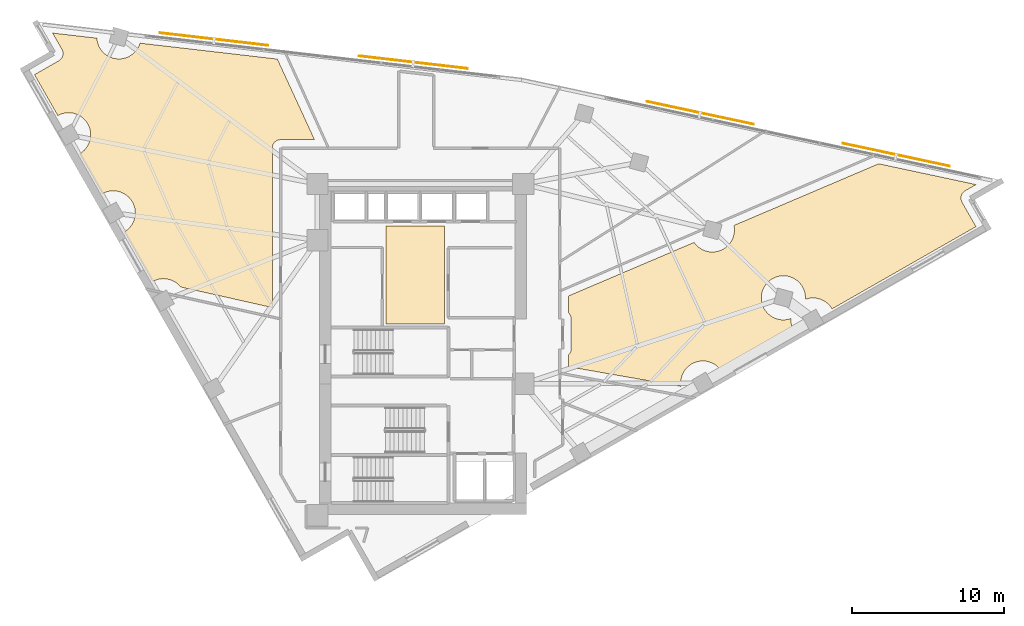
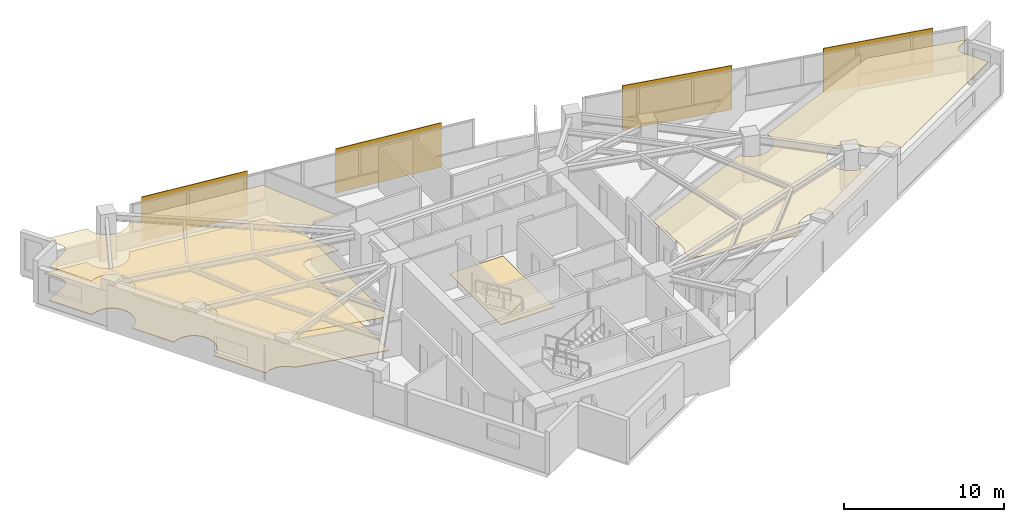
# One storey, part 13 of 13: 4 coverings, 4 shading devices.
"""IFC4 building model written with IfcOpenShell, lengths in metres."""

from ifc_helpers import new_model, si_unit, direction, frame, origin, origin_2d, place, context, subcontext, project, spatial, polyline, rectangle, outline, extrude, material, layer, layer_set, type_object, element, save


model = new_model("IFC4")

# Units and contexts
model_context = context("Model", 3, precision=1e-05, world=origin(), true_north=direction((0.0, 1.0)))
body_context = subcontext(model_context, "Body", "Model", "MODEL_VIEW")
ifc_project = project(units=[si_unit("LENGTHUNIT", "METRE"), si_unit("AREAUNIT", "SQUARE_METRE"), si_unit("VOLUMEUNIT", "CUBIC_METRE"), si_unit("PLANEANGLEUNIT", "RADIAN"), si_unit("MASSUNIT", "GRAM", prefix="KILO")], contexts=[model_context])

# Site, building, storey
site_placement = place(None, origin())
site = spatial("IfcSite", under=ifc_project, at=site_placement, CompositionType="ELEMENT")
building_placement = place(site_placement, origin())
building = spatial("IfcBuilding", under=site, at=building_placement, Name="Narakoshi Arena Tower", CompositionType="ELEMENT")
storey_placement = place(building_placement, frame((0.0, 0.0, 225.5400390625)))
storey = spatial("IfcBuildingStorey", under=building, at=storey_placement, Name="L61", CompositionType="ELEMENT", Elevation=225.5400390625)

# Coverings
ifc_material_1 = material(Name="Acoustic mineral-fibre ceiling tile")
ifc_layer_1 = layer(ifc_material_1, 0.02001953125)
ifc_layer_set_1 = layer_set([ifc_layer_1], Name="Acoustic mineral-fibre ceiling tile")
covering_type_1 = type_object("IfcCoveringType", Name="COV-CLG-AC20", PredefinedType="CEILING", material=ifc_layer_set_1)
covering_1_placement = place(storey_placement, frame((0.0, 0.0, 2.58984375)))
element("IfcCovering", 1, at=covering_1_placement, inside=storey, type_object=covering_type_1, Name="L61 Suspended Acoustic Ceiling 1", PredefinedType="CEILING", context=body_context, shape_type="SweptSolid", body=[
    extrude(outline(polyline([(54.981201171875, 64.615478515625), (55.026611328125, 64.644287109375), (55.069091796875, 64.677734375), (55.10791015625, 64.715087890625), (55.14306640625, 64.756103515625), (55.174072265625, 64.80029296875), (55.200439453125, 64.847412109375), (55.22216796875, 64.89697265625), (55.23876953125, 64.9482421875), (55.25048828125, 65.0009765625), (55.2568359375, 65.054443359375), (55.258056640625, 65.1083984375), (55.25390625, 65.162353515625), (55.244384765625, 65.215576171875), (55.229736328125, 65.267333984375), (55.210205078125, 65.317626953125), (55.185791015625, 65.36572265625), (54.573486328125, 66.43701171875), (57.48828125, 66.099609375), (57.4912109375, 66.041748046875), (57.51220703125, 65.90087890625), (57.546630859375, 65.762939453125), (57.5947265625, 65.62890625), (57.655517578125, 65.500244140625), (57.728759765625, 65.378173828125), (57.8134765625, 65.263916015625), (57.908935546875, 65.158447265625), (58.014404296875, 65.06298828125), (58.128662109375, 64.978271484375), (58.250732421875, 64.905029296875), (58.37939453125, 64.84423828125), (58.513427734375, 64.796142578125), (58.6513671875, 64.76171875), (58.792236328125, 64.74072265625), (58.934326171875, 64.73388671875), (59.076416015625, 64.74072265625), (59.21728515625, 64.76171875), (59.355224609375, 64.796142578125), (59.4892578125, 64.84423828125), (59.617919921875, 64.905029296875), (59.739990234375, 64.978271484375), (59.854248046875, 65.06298828125), (59.959716796875, 65.158447265625), (60.05517578125, 65.263916015625), (60.139892578125, 65.378173828125), (60.213134765625, 65.500244140625), (60.27392578125, 65.62890625), (60.322021484375, 65.762939453125), (60.323974609375, 65.771240234375), (69.36474609375, 64.724609375), (71.8115234375, 59.416748046875), (69.583251953125, 59.416748046875), (69.529296875, 59.414306640625), (69.475830078125, 59.40625), (69.423583984375, 59.39306640625), (69.372802734375, 59.375), (69.323974609375, 59.351806640625), (69.277587890625, 59.32421875), (69.234375, 59.2919921875), (69.1943359375, 59.255615234375), (69.157958984375, 59.2158203125), (69.1259765625, 59.17236328125), (69.09814453125, 59.126220703125), (69.0751953125, 59.077392578125), (69.056884765625, 59.026611328125), (69.043701171875, 58.97412109375), (69.035888671875, 58.920654296875), (69.033203125, 58.86669921875), (69.033203125, 48.367919921875), (63.00048828125, 49.721923828125), (62.989013671875, 49.73779296875), (62.893310546875, 49.84326171875), (62.7880859375, 49.938720703125), (62.673583984375, 50.0234375), (62.551513671875, 50.0966796875), (62.423095703125, 50.157470703125), (62.2890625, 50.20556640625), (62.15087890625, 50.239990234375), (62.01025390625, 50.260986328125), (61.8681640625, 50.267822265625), (61.72607421875, 50.260986328125), (61.585205078125, 50.239990234375), (61.447265625, 50.20556640625), (61.313232421875, 50.157470703125), (61.231689453125, 50.118896484375), (61.121826171875, 50.143798828125), (59.290283203125, 53.348388671875), (59.368408203125, 53.3955078125), (59.482666015625, 53.47998046875), (59.588134765625, 53.57568359375), (59.68359375, 53.68115234375), (59.768310546875, 53.79541015625), (59.841552734375, 53.91748046875), (59.90234375, 54.046142578125), (59.950439453125, 54.18017578125), (59.98486328125, 54.318115234375), (60.005859375, 54.458984375), (60.0126953125, 54.60107421875), (60.005859375, 54.7431640625), (59.98486328125, 54.8837890625), (59.950439453125, 55.02197265625), (59.90234375, 55.156005859375), (59.841552734375, 55.284423828125), (59.768310546875, 55.406494140625), (59.68359375, 55.52099609375), (59.588134765625, 55.626220703125), (59.482666015625, 55.721923828125), (59.368408203125, 55.806640625), (59.246337890625, 55.8798828125), (59.11767578125, 55.940673828125), (58.983642578125, 55.988525390625), (58.845703125, 56.023193359375), (58.704833984375, 56.0439453125), (58.562744140625, 56.051025390625), (58.420654296875, 56.0439453125), (58.27978515625, 56.023193359375), (58.141845703125, 55.988525390625), (58.0078125, 55.940673828125), (57.87939453125, 55.8798828125), (57.8525390625, 55.86376953125), (56.35205078125, 58.489013671875), (56.430419921875, 58.535888671875), (56.544677734375, 58.62060546875), (56.64990234375, 58.71630859375), (56.74560546875, 58.82177734375), (56.830322265625, 58.93603515625), (56.903564453125, 59.05810546875), (56.96435546875, 59.186767578125), (57.01220703125, 59.32080078125), (57.046875, 59.458740234375), (57.067626953125, 59.599609375), (57.07470703125, 59.74169921875), (57.067626953125, 59.8837890625), (57.046875, 60.0244140625), (57.01220703125, 60.16259765625), (56.96435546875, 60.29638671875), (56.903564453125, 60.425048828125), (56.830322265625, 60.547119140625), (56.74560546875, 60.66162109375), (56.64990234375, 60.766845703125), (56.544677734375, 60.862548828125), (56.430419921875, 60.947265625), (56.30810546875, 61.0205078125), (56.1796875, 61.081298828125), (56.045654296875, 61.129150390625), (55.90771484375, 61.163818359375), (55.766845703125, 61.1845703125), (55.624755859375, 61.191650390625), (55.482666015625, 61.1845703125), (55.341796875, 61.163818359375), (55.203857421875, 61.129150390625), (55.06982421875, 61.081298828125), (54.941162109375, 61.0205078125), (54.91455078125, 61.00439453125), (53.375244140625, 63.697509765625), (54.981201171875, 64.615478515625)])), origin(), (0.0, 0.0, 1.0), 0.02001953125),
])
ifc_material_2 = material(Name="Slatted oak acoustic timber baffle", Category="wood")
ifc_layer_2 = layer(ifc_material_2, 0.034912109375)
ifc_layer_set_2 = layer_set([ifc_layer_2], Name="Slatted oak acoustic timber baffle")
covering_type_2 = type_object("IfcCoveringType", Name="COV-CLG-WD35", PredefinedType="CEILING", material=ifc_layer_set_2)
covering_2_placement = place(storey_placement, frame((0.0, 0.0, 2.574951171875)))
element("IfcCovering", 2, at=covering_2_placement, inside=storey, type_object=covering_type_2, Name="L61 Suspended Acoustic Ceiling 2", PredefinedType="CEILING", context=body_context, shape_type="SweptSolid", body=[
    extrude(outline(polyline([(88.538818359375, 45.260986328125), (88.5751953125, 45.301025390625), (88.607421875, 45.344482421875), (88.635009765625, 45.390625), (88.658203125, 45.439453125), (88.67626953125, 45.490234375), (88.689453125, 45.542724609375), (88.697509765625, 45.59619140625), (88.699951171875, 45.64990234375), (88.699951171875, 47.6201171875), (88.697509765625, 47.673828125), (88.689453125, 47.727294921875), (88.67626953125, 47.77978515625), (88.658203125, 47.83056640625), (88.635009765625, 47.87939453125), (88.607421875, 47.925537109375), (88.5751953125, 47.968994140625), (88.538818359375, 48.0087890625), (88.516845703125, 48.02880859375), (88.516845703125, 49.12939453125), (96.800048828125, 52.658935546875), (96.876953125, 52.555419921875), (96.97265625, 52.449951171875), (97.077880859375, 52.354248046875), (97.1923828125, 52.26953125), (97.314453125, 52.1962890625), (97.443115234375, 52.135498046875), (97.576904296875, 52.087646484375), (97.715087890625, 52.052978515625), (97.855712890625, 52.0322265625), (97.997802734375, 52.025146484375), (98.139892578125, 52.0322265625), (98.28076171875, 52.052978515625), (98.418701171875, 52.087646484375), (98.552734375, 52.135498046875), (98.681396484375, 52.1962890625), (98.803466796875, 52.26953125), (98.917724609375, 52.354248046875), (99.023193359375, 52.449951171875), (99.118896484375, 52.555419921875), (99.20361328125, 52.669677734375), (99.276611328125, 52.791748046875), (99.33740234375, 52.92041015625), (99.385498046875, 53.05419921875), (99.419921875, 53.1923828125), (99.44091796875, 53.3330078125), (99.447998046875, 53.47509765625), (99.44091796875, 53.6171875), (99.419921875, 53.758056640625), (99.416015625, 53.773681640625), (108.94287109375, 57.8330078125), (115.35791015625, 56.462890625), (114.636962890625, 56.05078125), (114.591552734375, 56.021728515625), (114.549072265625, 55.98828125), (114.510009765625, 55.950927734375), (114.47509765625, 55.909912109375), (114.444091796875, 55.86572265625), (114.417724609375, 55.818603515625), (114.39599609375, 55.769287109375), (114.37939453125, 55.718017578125), (114.36767578125, 55.665283203125), (114.361083984375, 55.61181640625), (114.360107421875, 55.5576171875), (114.3642578125, 55.50390625), (114.373779296875, 55.45068359375), (114.38818359375, 55.398681640625), (114.407958984375, 55.348388671875), (114.432373046875, 55.30029296875), (115.35009765625, 53.694580078125), (105.872314453125, 48.27734375), (105.825439453125, 48.355712890625), (105.74072265625, 48.469970703125), (105.64501953125, 48.5751953125), (105.539794921875, 48.6708984375), (105.42529296875, 48.755615234375), (105.30322265625, 48.828857421875), (105.1748046875, 48.8896484375), (105.040771484375, 48.9375), (104.902587890625, 48.97216796875), (104.761962890625, 48.992919921875), (104.619873046875, 49.0), (104.477783203125, 48.992919921875), (104.3369140625, 48.97216796875), (104.198974609375, 48.9375), (104.11376953125, 48.906982421875), (104.118896484375, 49.009521484375), (104.11181640625, 49.151611328125), (104.0908203125, 49.29248046875), (104.056396484375, 49.430419921875), (104.00830078125, 49.564453125), (103.947509765625, 49.693115234375), (103.87451171875, 49.815185546875), (103.789794921875, 49.929443359375), (103.694091796875, 50.034912109375), (103.588623046875, 50.13037109375), (103.474365234375, 50.215087890625), (103.352294921875, 50.288330078125), (103.2236328125, 50.34912109375), (103.089599609375, 50.397216796875), (102.95166015625, 50.431640625), (102.810791015625, 50.452392578125), (102.668701171875, 50.45947265625), (102.526611328125, 50.452392578125), (102.385986328125, 50.431640625), (102.247802734375, 50.397216796875), (102.114013671875, 50.34912109375), (101.9853515625, 50.288330078125), (101.86328125, 50.215087890625), (101.748779296875, 50.13037109375), (101.6435546875, 50.034912109375), (101.5478515625, 49.929443359375), (101.463134765625, 49.815185546875), (101.389892578125, 49.693115234375), (101.3291015625, 49.564453125), (101.28125, 49.430419921875), (101.24658203125, 49.29248046875), (101.225830078125, 49.151611328125), (101.21875, 49.009521484375), (101.225830078125, 48.867431640625), (101.24658203125, 48.7265625), (101.28125, 48.588623046875), (101.3291015625, 48.45458984375), (101.389892578125, 48.325927734375), (101.463134765625, 48.203857421875), (101.5478515625, 48.089599609375), (101.6435546875, 47.984130859375), (101.748779296875, 47.888671875), (101.86328125, 47.803955078125), (101.9853515625, 47.730712890625), (102.114013671875, 47.669921875), (102.247802734375, 47.621826171875), (102.385986328125, 47.58740234375), (102.526611328125, 47.56640625), (102.668701171875, 47.5595703125), (102.810791015625, 47.56640625), (102.95166015625, 47.58740234375), (103.089599609375, 47.621826171875), (103.1748046875, 47.65234375), (103.169921875, 47.550048828125), (103.1767578125, 47.407958984375), (103.19775390625, 47.26708984375), (103.232177734375, 47.129150390625), (103.2802734375, 46.9951171875), (103.341064453125, 46.866455078125), (103.35693359375, 46.83984375), (98.619384765625, 44.132080078125), (98.572509765625, 44.210205078125), (98.48779296875, 44.324462890625), (98.39208984375, 44.429931640625), (98.286865234375, 44.525390625), (98.172607421875, 44.610107421875), (98.05029296875, 44.683349609375), (97.921875, 44.744140625), (97.787841796875, 44.792236328125), (97.64990234375, 44.82666015625), (97.509033203125, 44.84765625), (97.366943359375, 44.8544921875), (97.224853515625, 44.84765625), (97.083984375, 44.82666015625), (96.946044921875, 44.792236328125), (96.81201171875, 44.744140625), (96.683349609375, 44.683349609375), (96.561279296875, 44.610107421875), (96.447021484375, 44.525390625), (96.341552734375, 44.429931640625), (96.24609375, 44.324462890625), (96.161376953125, 44.210205078125), (96.088134765625, 44.088134765625), (96.02734375, 43.95947265625), (95.979248046875, 43.825439453125), (95.94482421875, 43.6875), (95.923828125, 43.546630859375), (95.9169921875, 43.404541015625), (95.923828125, 43.262451171875), (95.936279296875, 43.179443359375), (88.516845703125, 44.474609375), (88.516845703125, 45.2412109375), (88.538818359375, 45.260986328125)])), origin(), (0.0, 0.0, 1.0), 0.034912109375),
])
ifc_material_3 = material(Name="Raised steel access floor panel", Category="steel")
ifc_layer_3 = layer(ifc_material_3, 0.044921875)
ifc_layer_set_3 = layer_set([ifc_layer_3], Name="Raised steel access floor panel")
covering_type_3 = type_object("IfcCoveringType", Name="COV-FLR-RF45", PredefinedType="FLOORING", material=ifc_layer_set_3)
covering_3_placement = place(storey_placement, origin())
element("IfcCovering", 3, at=covering_3_placement, inside=storey, type_object=covering_type_3, Name="L61 Raised Steel Access Floor", PredefinedType="FLOORING", context=body_context, shape_type="SweptSolid", body=[
    extrude(outline(polyline([(54.981201171875, 64.615478515625), (55.026611328125, 64.644287109375), (55.069091796875, 64.677734375), (55.10791015625, 64.715087890625), (55.14306640625, 64.756103515625), (55.174072265625, 64.80029296875), (55.200439453125, 64.847412109375), (55.22216796875, 64.89697265625), (55.23876953125, 64.9482421875), (55.25048828125, 65.0009765625), (55.2568359375, 65.054443359375), (55.258056640625, 65.1083984375), (55.25390625, 65.162353515625), (55.244384765625, 65.215576171875), (55.229736328125, 65.267333984375), (55.210205078125, 65.317626953125), (55.185791015625, 65.36572265625), (54.573486328125, 66.43701171875), (57.48828125, 66.099609375), (57.4912109375, 66.041748046875), (57.51220703125, 65.90087890625), (57.546630859375, 65.762939453125), (57.5947265625, 65.62890625), (57.655517578125, 65.500244140625), (57.728759765625, 65.378173828125), (57.8134765625, 65.263916015625), (57.908935546875, 65.158447265625), (58.014404296875, 65.06298828125), (58.128662109375, 64.978271484375), (58.250732421875, 64.905029296875), (58.37939453125, 64.84423828125), (58.513427734375, 64.796142578125), (58.6513671875, 64.76171875), (58.792236328125, 64.74072265625), (58.934326171875, 64.73388671875), (59.076416015625, 64.74072265625), (59.21728515625, 64.76171875), (59.355224609375, 64.796142578125), (59.4892578125, 64.84423828125), (59.617919921875, 64.905029296875), (59.739990234375, 64.978271484375), (59.854248046875, 65.06298828125), (59.959716796875, 65.158447265625), (60.05517578125, 65.263916015625), (60.139892578125, 65.378173828125), (60.213134765625, 65.500244140625), (60.27392578125, 65.62890625), (60.322021484375, 65.762939453125), (60.323974609375, 65.771240234375), (69.36474609375, 64.724609375), (71.8115234375, 59.416748046875), (69.583251953125, 59.416748046875), (69.529296875, 59.414306640625), (69.475830078125, 59.40625), (69.423583984375, 59.39306640625), (69.372802734375, 59.375), (69.323974609375, 59.351806640625), (69.277587890625, 59.32421875), (69.234375, 59.2919921875), (69.1943359375, 59.255615234375), (69.157958984375, 59.2158203125), (69.1259765625, 59.17236328125), (69.09814453125, 59.126220703125), (69.0751953125, 59.077392578125), (69.056884765625, 59.026611328125), (69.043701171875, 58.97412109375), (69.035888671875, 58.920654296875), (69.033203125, 58.86669921875), (69.033203125, 48.367919921875), (63.00048828125, 49.721923828125), (62.989013671875, 49.73779296875), (62.893310546875, 49.84326171875), (62.7880859375, 49.938720703125), (62.673583984375, 50.0234375), (62.551513671875, 50.0966796875), (62.423095703125, 50.157470703125), (62.2890625, 50.20556640625), (62.15087890625, 50.239990234375), (62.01025390625, 50.260986328125), (61.8681640625, 50.267822265625), (61.72607421875, 50.260986328125), (61.585205078125, 50.239990234375), (61.447265625, 50.20556640625), (61.313232421875, 50.157470703125), (61.231689453125, 50.118896484375), (61.121826171875, 50.143798828125), (59.290283203125, 53.348388671875), (59.368408203125, 53.3955078125), (59.482666015625, 53.47998046875), (59.588134765625, 53.57568359375), (59.68359375, 53.68115234375), (59.768310546875, 53.79541015625), (59.841552734375, 53.91748046875), (59.90234375, 54.046142578125), (59.950439453125, 54.18017578125), (59.98486328125, 54.318115234375), (60.005859375, 54.458984375), (60.0126953125, 54.60107421875), (60.005859375, 54.7431640625), (59.98486328125, 54.8837890625), (59.950439453125, 55.02197265625), (59.90234375, 55.156005859375), (59.841552734375, 55.284423828125), (59.768310546875, 55.406494140625), (59.68359375, 55.52099609375), (59.588134765625, 55.626220703125), (59.482666015625, 55.721923828125), (59.368408203125, 55.806640625), (59.246337890625, 55.8798828125), (59.11767578125, 55.940673828125), (58.983642578125, 55.988525390625), (58.845703125, 56.023193359375), (58.704833984375, 56.0439453125), (58.562744140625, 56.051025390625), (58.420654296875, 56.0439453125), (58.27978515625, 56.023193359375), (58.141845703125, 55.988525390625), (58.0078125, 55.940673828125), (57.87939453125, 55.8798828125), (57.8525390625, 55.86376953125), (56.35205078125, 58.489013671875), (56.430419921875, 58.535888671875), (56.544677734375, 58.62060546875), (56.64990234375, 58.71630859375), (56.74560546875, 58.82177734375), (56.830322265625, 58.93603515625), (56.903564453125, 59.05810546875), (56.96435546875, 59.186767578125), (57.01220703125, 59.32080078125), (57.046875, 59.458740234375), (57.067626953125, 59.599609375), (57.07470703125, 59.74169921875), (57.067626953125, 59.8837890625), (57.046875, 60.0244140625), (57.01220703125, 60.16259765625), (56.96435546875, 60.29638671875), (56.903564453125, 60.425048828125), (56.830322265625, 60.547119140625), (56.74560546875, 60.66162109375), (56.64990234375, 60.766845703125), (56.544677734375, 60.862548828125), (56.430419921875, 60.947265625), (56.30810546875, 61.0205078125), (56.1796875, 61.081298828125), (56.045654296875, 61.129150390625), (55.90771484375, 61.163818359375), (55.766845703125, 61.1845703125), (55.624755859375, 61.191650390625), (55.482666015625, 61.1845703125), (55.341796875, 61.163818359375), (55.203857421875, 61.129150390625), (55.06982421875, 61.081298828125), (54.941162109375, 61.0205078125), (54.91455078125, 61.00439453125), (53.375244140625, 63.697509765625), (54.981201171875, 64.615478515625)])), origin(), (0.0, 0.0, 1.0), 0.044921875),
])
ifc_material_4 = material(Name="Honed granite stone paving", Category="masonry")
ifc_layer_4 = layer(ifc_material_4, 0.030029296875)
ifc_layer_set_4 = layer_set([ifc_layer_4], Name="Honed granite stone paving")
covering_type_4 = type_object("IfcCoveringType", Name="COV-FLR-ST30", PredefinedType="FLOORING", material=ifc_layer_set_4)
covering_4_placement = place(storey_placement, origin())
element("IfcCovering", 4, at=covering_4_placement, inside=storey, type_object=covering_type_4, Name="L61 Lift Lobby Granite Flooring", PredefinedType="FLOORING", context=body_context, shape_type="SweptSolid", body=[
    extrude(outline(polyline([(76.5, 47.300048828125), (80.35009765625, 47.300048828125), (80.35009765625, 53.75), (76.5, 53.75), (76.5, 47.300048828125)])), origin(), (0.0, 0.0, 1.0), 0.030029296875),
])

# Shading devices
ifc_material_5 = material(Name="Perforated bronze ceramic-metal composite")
ifc_layer_5 = layer(ifc_material_5, 0.06005859375)
ifc_layer_set_5 = layer_set([ifc_layer_5], Name="Perforated bronze ceramic-metal composite")
shading_device_type = type_object("IfcShadingDeviceType", Name="SHD-SCR-BRZ2", PredefinedType="USERDEFINED", material=ifc_layer_set_5)
for number, where, z_axis, x_axis, name in (
    (5, (110.10107421875, 58.42431640625, 0.0), (0.0, 0.0, 1.0), (-0.977936632473, 0.208901754101, 0.0), "L61 Perforated Bronze Solar Screen 1-1"),
    (6, (97.1923828125, 61.181640625, 0.0), (0.0, 0.0, 1.0), (-0.977936632473, 0.208901754101, 0.0), "L61 Perforated Bronze Solar Screen 1-2"),
    (7, (78.312255859375, 64.513916015625, 0.0), (0.0, 0.0, 1.0), (-0.993364739053, 0.115006500715, 0.0), "L61 Perforated Bronze Solar Screen 2-1"),
    (8, (65.199951171875, 66.031982421875, 0.0), (0.0, 0.0, 1.0), (-0.993364739053, 0.115006500715, 0.0), "L61 Perforated Bronze Solar Screen 2-2"),
):
    element("IfcShadingDevice", number, at=place(storey_placement, frame(where, z_axis=z_axis, x_axis=x_axis)), inside=storey, type_object=shading_device_type, Name=name, ObjectType="SOLAR SCREEN", PredefinedType="USERDEFINED", context=body_context, shape_type="SweptSolid", body=[
        extrude(rectangle(XDim=7.199951171875, YDim=0.06005859375, at=origin_2d()), origin(), (0.0, 0.0, 1.0), 3.3701171875),
    ])

save(model, "model.ifc")
